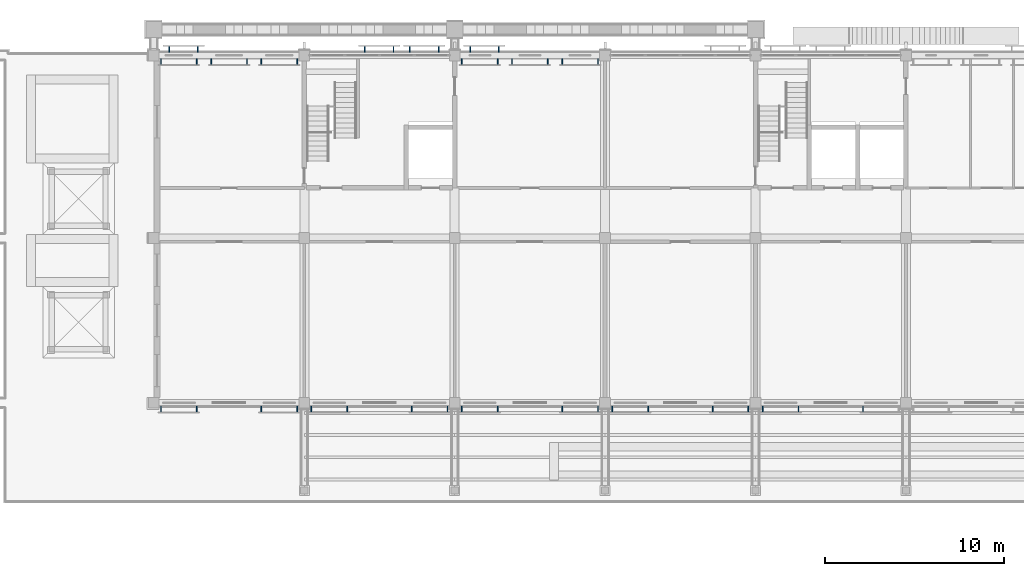
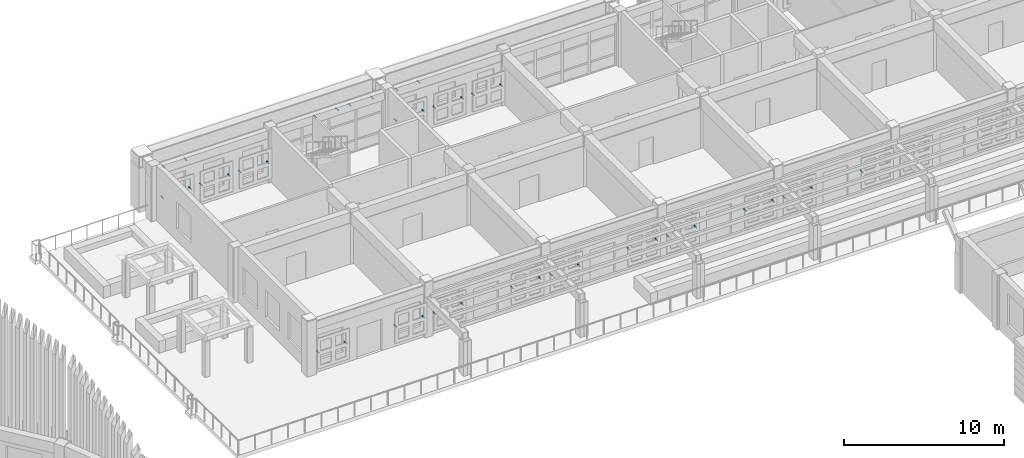
# One storey, part 47 of 68: 39 discrete accessories.
"""IFC4 building model written with IfcOpenShell, lengths in metres."""

import ifcopenshell
import ifcopenshell.guid

model = None  # the IFC model being written
_history = None  # IfcOwnerHistory: only IFC2X3 demands one
_inside = {}  # id of a spatial element -> (the spatial element, [elements in it])
_under = {}  # id of a project, library or spatial element -> (it, [spatial elements below it])
_declared = {}  # id of a project -> (the project, [libraries it declares])
_typed = {}  # id of a type object -> (the type object, [elements of that type])
_made_of = {}  # id of a material, layer set ... -> (it, [elements and type objects made of it])


def new_model(schema):
    """Start an empty IFC model of exactly this schema.

    Asked for "IFC4X3", IfcOpenShell would pick the latest addendum, in which some entities
    have other attributes; the version numbers below select the first issue.
    IFC2X3 requires an IfcOwnerHistory on every rooted entity: one is made here for all.
    """
    global model, _history
    if schema == "IFC4X3":
        model = ifcopenshell.file(schema_version=(4, 3, 0, 0))
    else:
        model = ifcopenshell.file(schema=schema)
    _inside.clear()
    _under.clear()
    _declared.clear()
    _typed.clear()
    _made_of.clear()
    _history = None
    if model.schema == "IFC2X3":
        org = make("IfcOrganization", Name="unknown")
        user = make(
            "IfcPersonAndOrganization",
            ThePerson=make("IfcPerson", FamilyName="unknown"),
            TheOrganization=org,
        )
        app = make(
            "IfcApplication",
            ApplicationDeveloper=org,
            Version="unknown",
            ApplicationFullName="unknown",
            ApplicationIdentifier="unknown",
        )
        _history = make(
            "IfcOwnerHistory",
            OwningUser=user,
            OwningApplication=app,
            ChangeAction="ADDED",
            CreationDate=0,
        )
    return model


def make(cls, **values):
    """One entity of the class cls with the attributes given. An attribute that is None is left unset."""
    return model.create_entity(
        cls, **{name: value for name, value in values.items() if value is not None}
    )


def rooted(cls, **values):
    """An entity with a GlobalId (a new one), such as an element, a storey or a relation."""
    return make(cls, GlobalId=ifcopenshell.guid.new(), OwnerHistory=_history, **values)


def si_unit(unit_type, name, prefix=None):
    """IfcSIUnit, for example si_unit("LENGTHUNIT", "METRE", prefix="MILLI")."""
    return make("IfcSIUnit", UnitType=unit_type, Prefix=prefix, Name=name)


def assignment(units):
    """IfcUnitAssignment: the units of a project."""
    return None if units is None else make("IfcUnitAssignment", Units=units)


def point(xyz):
    """IfcCartesianPoint."""
    return None if xyz is None else make("IfcCartesianPoint", Coordinates=xyz)


def direction(xyz):
    """IfcDirection."""
    return None if xyz is None else make("IfcDirection", DirectionRatios=xyz)


def frame(location, z_axis=None, x_axis=None):
    """IfcAxis2Placement3D, a coordinate frame: its origin and axes. An axis left out is left unset."""
    return make(
        "IfcAxis2Placement3D",
        Location=point(location),
        Axis=direction(z_axis),
        RefDirection=direction(x_axis),
    )


def frame_2d(location, x_axis=None):
    """IfcAxis2Placement2D, a coordinate frame in the plane: its origin and x axis."""
    return make(
        "IfcAxis2Placement2D", Location=point(location), RefDirection=direction(x_axis)
    )


def origin():
    """The frame at (0, 0, 0) with its axes left unset."""
    return frame((0.0, 0.0, 0.0))


def origin_2d():
    """The frame at (0, 0) in the plane with its x axis left unset."""
    return frame_2d((0.0, 0.0))


def place(relative_to, where):
    """IfcLocalPlacement: puts the frame where relative to a parent placement (None: the world)."""
    return make(
        "IfcLocalPlacement", PlacementRelTo=relative_to, RelativePlacement=where
    )


def context(
    kind, dimensions, precision=None, world=None, true_north=None, identifier=None
):
    """IfcGeometricRepresentationContext, for example the 3D "Model" context."""
    return make(
        "IfcGeometricRepresentationContext",
        ContextIdentifier=identifier,
        ContextType=kind,
        CoordinateSpaceDimension=dimensions,
        Precision=precision,
        WorldCoordinateSystem=world,
        TrueNorth=true_north,
    )


def subcontext(parent, identifier, kind, view, scale=None):
    """IfcGeometricRepresentationSubContext, for example "Body" below "Model"."""
    return make(
        "IfcGeometricRepresentationSubContext",
        ContextIdentifier=identifier,
        ContextType=kind,
        ParentContext=parent,
        TargetScale=scale,
        TargetView=view,
    )


def project(units=None, contexts=None):
    """IfcProject with its units and contexts."""
    return rooted(
        "IfcProject",
        Name="project",
        RepresentationContexts=contexts,
        UnitsInContext=assignment(units),
    )


def spatial(cls, under=None, at=None, **own):
    """A site, building, storey or space (cls), placed at a placement, below another one or the project."""
    s = rooted(cls, ObjectPlacement=at, **own)
    if under is not None:
        _under.setdefault(under.id(), (under, []))[1].append(s)
    return s


def profile(cls, at=None, kind="AREA", **sizes):
    """A parametric profile (cls). Its sizes go by their IFC names, for example OverallWidth=200.0."""
    return make(cls, ProfileType=kind, Position=at, **sizes)


def rectangle(**sizes):
    """IfcRectangleProfileDef."""
    return profile("IfcRectangleProfileDef", **sizes)


def extrude(swept, where, along, depth):
    """IfcExtrudedAreaSolid: the profile swept, set in the frame where, extruded along a direction by depth."""
    return make(
        "IfcExtrudedAreaSolid",
        SweptArea=swept,
        Position=where,
        ExtrudedDirection=direction(along),
        Depth=depth,
    )


def shape(context_of_items, identifier, shape_type, items):
    """IfcShapeRepresentation: the items that make up one representation, for example the "Body"."""
    return make(
        "IfcShapeRepresentation",
        ContextOfItems=context_of_items,
        RepresentationIdentifier=identifier,
        RepresentationType=shape_type,
        Items=items,
    )


def material(Name=None, Category=None):
    """IfcMaterial."""
    return make("IfcMaterial", Name=Name, Category=Category)


def made_of(thing, what):
    """Note that an element or type object is made of a material, layer set ...; save() writes the relation."""
    if what is not None:
        _made_of.setdefault(what.id(), (what, []))[1].append(thing)
    return thing


def type_object(cls, material=None, **own):
    """A type object (cls), such as IfcWallType, which elements share."""
    return made_of(rooted(cls, **own), material)


def element(
    cls,
    number,
    at=None,
    inside=None,
    cuts=None,
    type_object=None,
    material=None,
    context=None,
    identifier="Body",
    shape_type=None,
    held_by="IfcProductDefinitionShape",
    body=None,
    shapes=None,
    **own,
):
    """One element of the class cls, such as IfcWall. Its Tag is "e" and its number.

    at: its placement. inside: the storey or other place that contains it. cuts: it is an
    opening in that element (IfcRelVoidsElement). A single representation is given by context,
    identifier, shape_type and body (its items); several are given by shapes. held_by: the class
    of the entity that holds the representations. save() writes the other relations.
    """
    e = rooted(cls, Tag="e%d" % number, ObjectPlacement=at, **own)
    if body is not None:
        shapes = [shape(context, identifier, shape_type, body)]
    if shapes is not None:
        e.Representation = make(held_by, Representations=shapes)
    if inside is not None:
        _inside.setdefault(inside.id(), (inside, []))[1].append(e)
    if cuts is not None:
        rooted(
            "IfcRelVoidsElement", RelatingBuildingElement=cuts, RelatedOpeningElement=e
        )
    if type_object is not None:
        _typed.setdefault(type_object.id(), (type_object, []))[1].append(e)
    return made_of(e, material)


def aggregate(whole, parts):
    """IfcRelAggregates: a whole, such as a stair, and the parts it consists of."""
    return rooted("IfcRelAggregates", RelatingObject=whole, RelatedObjects=parts)


def save(model, path):
    """Write the relations noted so far, then the file.

    IfcRelAggregates (storeys below a building ...), IfcRelContainedInSpatialStructure (elements
    in a storey), IfcRelDefinesByType, IfcRelAssociatesMaterial and IfcRelDeclares: one each for
    every whole, place, type object, material and project.
    """
    for whole, parts in _under.values():
        aggregate(whole, parts)
    for where, things in _inside.values():
        rooted(
            "IfcRelContainedInSpatialStructure",
            RelatedElements=things,
            RelatingStructure=where,
        )
    for kind, things in _typed.values():
        rooted("IfcRelDefinesByType", RelatedObjects=things, RelatingType=kind)
    for what, things in _made_of.values():
        rooted("IfcRelAssociatesMaterial", RelatedObjects=things, RelatingMaterial=what)
    for by, libraries in _declared.values():
        rooted("IfcRelDeclares", RelatingContext=by, RelatedDefinitions=libraries)
    model.write(path)


model = new_model("IFC4")

# Units and contexts
model_context = context("Model", 3, precision=1e-05, world=origin(), true_north=direction((0.0, 1.0)))
body_context = subcontext(model_context, "Body", "Model", "MODEL_VIEW")
ifc_project = project(units=[si_unit("LENGTHUNIT", "METRE"), si_unit("AREAUNIT", "SQUARE_METRE"), si_unit("VOLUMEUNIT", "CUBIC_METRE"), si_unit("PLANEANGLEUNIT", "RADIAN"), si_unit("MASSUNIT", "GRAM", prefix="KILO")], contexts=[model_context])

# Site, building, storey
site_placement = place(None, origin())
site = spatial("IfcSite", under=ifc_project, at=site_placement, CompositionType="ELEMENT")
building_placement = place(site_placement, origin())
building = spatial("IfcBuilding", under=site, at=building_placement, Name="Wasatch Bagh Community Centre", CompositionType="ELEMENT")
storey_placement = place(building_placement, frame((0.0, 0.0, 8.39990234375)))
storey = spatial("IfcBuildingStorey", under=building, at=storey_placement, Name="L02", CompositionType="ELEMENT", Elevation=8.39990234375)

# Discrete accessories
ifc_material = material(Name="Galvanised steel", Category="steel")
discrete_accessory_type = type_object("IfcDiscreteAccessoryType", Name="LW jali bracket", PredefinedType="BRACKET", material=ifc_material)
for number, where, z_axis, x_axis, name in (
    (1, (72.800048828125, 78.06005859375, 1.63525390625), (0.0, 0.0, 1.0), (1.0, 0.0, 0.0), "Jali bracket"),
    (2, (74.800048828125, 78.06005859375, 1.63525390625), (0.0, 0.0, 1.0), (1.0, 0.0, 0.0), "Jali bracket"),
    (3, (78.39990234375, 78.06005859375, 1.63525390625), (0.0, 0.0, 1.0), (1.0, 0.0, 0.0), "Jali bracket"),
    (4, (80.39990234375, 78.06005859375, 1.63525390625), (0.0, 0.0, 1.0), (1.0, 0.0, 0.0), "Jali bracket"),
    (5, (81.199951171875, 78.06005859375, 1.63525390625), (0.0, 0.0, 1.0), (1.0, 0.0, 0.0), "Jali bracket"),
    (6, (83.199951171875, 78.06005859375, 1.63525390625), (0.0, 0.0, 1.0), (1.0, 0.0, 0.0), "Jali bracket"),
    (7, (86.800048828125, 78.06005859375, 1.63525390625), (0.0, 0.0, 1.0), (1.0, 0.0, 0.0), "Jali bracket"),
    (8, (88.800048828125, 78.06005859375, 1.63525390625), (0.0, 0.0, 1.0), (1.0, 0.0, 0.0), "Jali bracket"),
    (9, (89.60009765625, 78.06005859375, 1.63525390625), (0.0, 0.0, 1.0), (1.0, 0.0, 0.0), "Jali bracket"),
    (10, (91.60009765625, 78.06005859375, 1.63525390625), (0.0, 0.0, 1.0), (1.0, 0.0, 0.0), "Jali bracket"),
    (11, (95.199951171875, 78.06005859375, 1.63525390625), (0.0, 0.0, 1.0), (1.0, 0.0, 0.0), "Jali bracket"),
    (12, (97.199951171875, 78.06005859375, 1.63525390625), (0.0, 0.0, 1.0), (1.0, 0.0, 0.0), "Jali bracket"),
    (13, (98.0, 78.06005859375, 1.63525390625), (0.0, 0.0, 1.0), (1.0, 0.0, 0.0), "Jali bracket"),
    (14, (100.0, 78.06005859375, 1.63525390625), (0.0, 0.0, 1.0), (1.0, 0.0, 0.0), "Jali bracket"),
    (15, (103.60009765625, 78.06005859375, 1.63525390625), (0.0, 0.0, 1.0), (1.0, 0.0, 0.0), "Jali bracket"),
    (16, (105.60009765625, 78.06005859375, 1.63525390625), (0.0, 0.0, 1.0), (1.0, 0.0, 0.0), "Jali bracket"),
    (17, (106.39990234375, 78.06005859375, 1.63525390625), (0.0, 0.0, 1.0), (1.0, 0.0, 0.0), "Jali bracket"),
    (18, (108.39990234375, 78.06005859375, 1.63525390625), (0.0, 0.0, 1.0), (1.0, 0.0, 0.0), "Jali bracket"),
    (19, (112.0, 78.06005859375, 1.63525390625), (0.0, 0.0, 1.0), (1.0, 0.0, 0.0), "Jali bracket"),
    (20, (72.800048828125, 97.4599609375, 1.63525390625), (0.0, 0.0, 1.0), (1.0, 0.0, 0.0), "Jali bracket"),
    (21, (74.800048828125, 97.4599609375, 1.63525390625), (0.0, 0.0, 1.0), (1.0, 0.0, 0.0), "Jali bracket"),
    (22, (75.60009765625, 97.4599609375, 1.63525390625), (0.0, 0.0, 1.0), (1.0, 0.0, 0.0), "Jali bracket"),
    (23, (77.60009765625, 97.4599609375, 1.63525390625), (0.0, 0.0, 1.0), (1.0, 0.0, 0.0), "Jali bracket"),
    (24, (78.39990234375, 97.4599609375, 1.63525390625), (0.0, 0.0, 1.0), (1.0, 0.0, 0.0), "Jali bracket"),
    (25, (80.39990234375, 97.4599609375, 1.63525390625), (0.0, 0.0, 1.0), (1.0, 0.0, 0.0), "Jali bracket"),
    (26, (89.60009765625, 97.4599609375, 1.63525390625), (0.0, 0.0, 1.0), (1.0, 0.0, 0.0), "Jali bracket"),
    (27, (91.60009765625, 97.4599609375, 1.63525390625), (0.0, 0.0, 1.0), (1.0, 0.0, 0.0), "Jali bracket"),
    (28, (92.39990234375, 97.4599609375, 1.63525390625), (0.0, 0.0, 1.0), (1.0, 0.0, 0.0), "Jali bracket"),
    (29, (94.39990234375, 97.4599609375, 1.63525390625), (0.0, 0.0, 1.0), (1.0, 0.0, 0.0), "Jali bracket"),
    (30, (95.199951171875, 97.4599609375, 1.63525390625), (0.0, 0.0, 1.0), (1.0, 0.0, 0.0), "Jali bracket"),
    (31, (97.199951171875, 97.4599609375, 1.63525390625), (0.0, 0.0, 1.0), (1.0, 0.0, 0.0), "Jali bracket"),
):
    element("IfcDiscreteAccessory", number, at=place(storey_placement, frame(where, z_axis=z_axis, x_axis=x_axis)), inside=storey, type_object=discrete_accessory_type, Name=name, PredefinedType="BRACKET", context=body_context, shape_type="SweptSolid", body=[
        extrude(rectangle(XDim=0.050048828125, YDim=0.320068359375, at=origin_2d()), origin(), (0.0, 0.0, 1.0), 0.050048828125),
    ])
for number, where, z_axis, x_axis, name in (
    (32, (73.260009765625, 98.137451171875, 3.39501953125), (0.0, 0.0, 1.0), (1.0, 0.0, 0.0), "Jali bracket"),
    (33, (74.860107421875, 98.137451171875, 3.39501953125), (0.0, 0.0, 1.0), (1.0, 0.0, 0.0), "Jali bracket"),
    (34, (84.179931640625, 98.137451171875, 3.39501953125), (0.0, 0.0, 1.0), (1.0, 0.0, 0.0), "Jali bracket"),
    (35, (85.780029296875, 98.137451171875, 3.39501953125), (0.0, 0.0, 1.0), (1.0, 0.0, 0.0), "Jali bracket"),
    (36, (86.699951171875, 98.137451171875, 3.39501953125), (0.0, 0.0, 1.0), (1.0, 0.0, 0.0), "Jali bracket"),
    (37, (88.300048828125, 98.137451171875, 3.39501953125), (0.0, 0.0, 1.0), (1.0, 0.0, 0.0), "Jali bracket"),
    (38, (90.06005859375, 98.137451171875, 3.39501953125), (0.0, 0.0, 1.0), (1.0, 0.0, 0.0), "Jali bracket"),
    (39, (91.659912109375, 98.137451171875, 3.39501953125), (0.0, 0.0, 1.0), (1.0, 0.0, 0.0), "Jali bracket"),
):
    element("IfcDiscreteAccessory", number, at=place(storey_placement, frame(where, z_axis=z_axis, x_axis=x_axis)), inside=storey, type_object=discrete_accessory_type, Name=name, PredefinedType="BRACKET", context=body_context, shape_type="SweptSolid", body=[
        extrude(rectangle(XDim=0.050048828125, YDim=0.324951171875, at=origin_2d()), origin(), (0.0, 0.0, 1.0), 0.050048828125),
    ])

save(model, "model.ifc")
